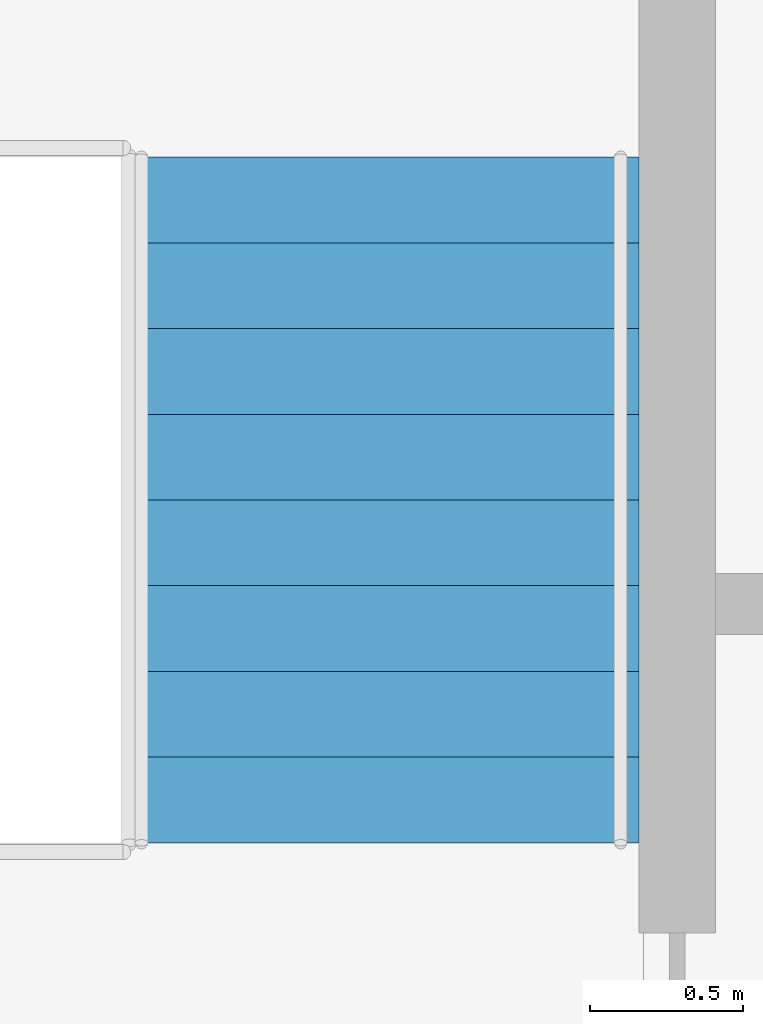
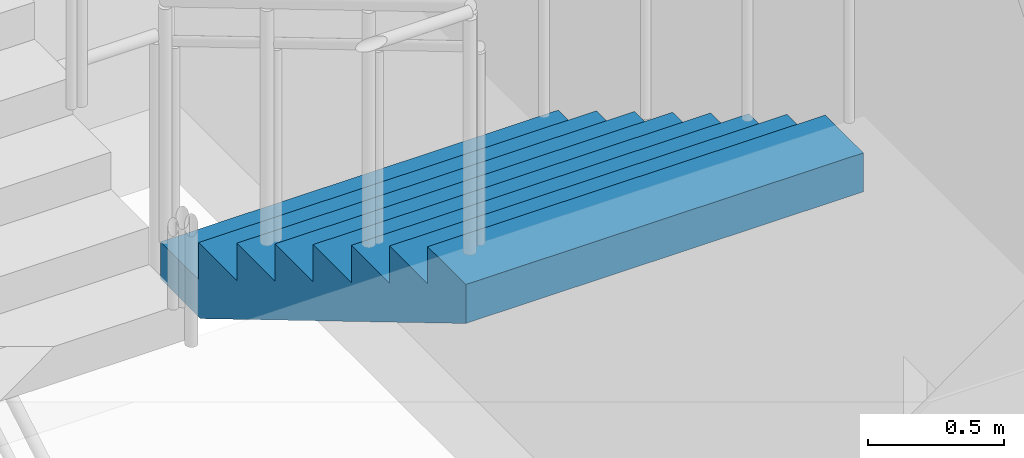
# One storey, part 37 of 57: 1 stair flight, 1 element without a shape of its own.
"""IFC4 building model written with IfcOpenShell, lengths in metres."""

from ifc_helpers import new_model, si_unit, direction, frame, origin, place, context, subcontext, project, spatial, triangles, material, type_object, element, aggregate, save


model = new_model("IFC4")

# Units and contexts
model_context = context("Model", 3, precision=1e-05, world=origin(), true_north=direction((0.0, 1.0)))
body_context = subcontext(model_context, "Body", "Model", "MODEL_VIEW")
ifc_project = project(units=[si_unit("LENGTHUNIT", "METRE"), si_unit("AREAUNIT", "SQUARE_METRE"), si_unit("VOLUMEUNIT", "CUBIC_METRE"), si_unit("PLANEANGLEUNIT", "RADIAN"), si_unit("MASSUNIT", "GRAM", prefix="KILO")], contexts=[model_context])

# Site, building, storey
site_placement = place(None, origin())
site = spatial("IfcSite", under=ifc_project, at=site_placement, CompositionType="ELEMENT")
building_placement = place(site_placement, origin())
building = spatial("IfcBuilding", under=site, at=building_placement, Name="Orbita Commons", CompositionType="ELEMENT")
storey_placement = place(building_placement, origin())
storey = spatial("IfcBuildingStorey", under=building, at=storey_placement, Name="L00", CompositionType="ELEMENT", Elevation=0.0)

# Stair, stair flight
ifc_material_1 = material(Name="Precast concrete C40/50", Category="concrete")
stair_type = type_object("IfcStairType", Name="Podium exit stair 4 flights 9 risers 167", PredefinedType="HALF_TURN_STAIR", material=ifc_material_1)
stair_placement = place(storey_placement, origin())
stair = element("IfcStair", 1, at=stair_placement, inside=storey, type_object=stair_type, Name="Podium exit stair PS2 L00", PredefinedType="HALF_TURN_STAIR")
ifc_material_2 = material(Name="Precast concrete C40/50", Category="concrete")
stair_flight_type = type_object("IfcStairFlightType", Name="Podium stair flight 9 risers 167 x 1685", PredefinedType="STRAIGHT", material=ifc_material_2)
stair_flight_placement = place(storey_placement, frame((76.4326171875, 32.06005859375, 1.5), z_axis=(0.0, 0.0, 1.0), x_axis=(0.0, -1.0, 0.0)))
stair_flight = element("IfcStairFlight", 2, at=stair_flight_placement, type_object=stair_flight_type, Name="PS2 flight 2", NumberOfRisers=9, NumberOfTreads=8, PredefinedType="STRAIGHT", RiserHeight=0.166666667, TreadLength=0.28, context=body_context, shape_type="Tessellation", body=[
    triangles([(0.0, 0.842529, 0.0), (0.0, 0.842529, 0.020833), (0.0, 0.702108, 0.020833), (0.0, 0.702108, 0.0), (0.0, 0.561686, 0.020833), (0.0, 0.561686, 0.0), (0.0, 0.421265, 0.020833), (0.0, 0.421265, 0.0), (0.0, 0.280843, 0.020833), (0.0, 0.280843, 0.0), (0.0, 0.140422, 0.020833), (0.0, 0.140422, 0.0), (0.0, 0.0, 0.020833), (0.0, 0.0, 0.0), (0.0, -0.140422, 0.020833), (0.0, -0.140422, 0.0), (0.0, -0.280843, 0.020833), (0.0, -0.280843, 0.0), (0.0, -0.421265, 0.020833), (0.0, -0.421265, 0.0), (0.0, -0.561686, 0.020833), (0.0, -0.561686, 0.0), (0.0, -0.702108, 0.020833), (0.0, -0.702108, 0.0), (0.0, -0.842529, 0.020833), (0.0, -0.842529, 0.0), (0.0, 0.842529, 0.041667), (0.0, 0.702108, 0.041667), (0.0, 0.561686, 0.041667), (0.0, 0.421265, 0.041667), (0.0, 0.280843, 0.041667), (0.0, 0.140422, 0.041667), (0.0, 0.0, 0.041667), (0.0, -0.140422, 0.041667), (0.0, -0.280843, 0.041667), (0.0, -0.421265, 0.041667), (0.0, -0.561686, 0.041667), (0.0, -0.702108, 0.041667), (0.0, -0.842529, 0.041667), (0.0, 0.842529, 0.0625), (0.0, 0.702108, 0.0625), (0.0, 0.561686, 0.0625), (0.0, 0.421265, 0.0625), (0.0, 0.280843, 0.0625), (0.0, 0.140422, 0.0625), (0.0, 0.0, 0.0625), (0.0, -0.140422, 0.0625), (0.0, -0.280843, 0.0625), (0.0, -0.421265, 0.0625), (0.0, -0.561686, 0.0625), (0.0, -0.702108, 0.0625), (0.0, -0.842529, 0.0625), (0.0, 0.842529, 0.083333), (0.0, 0.702108, 0.083333), (0.0, 0.561686, 0.083333), (0.0, 0.421265, 0.083333), (0.0, 0.280843, 0.083333), (0.0, 0.140422, 0.083333), (0.0, 0.0, 0.083333), (0.0, -0.140422, 0.083333), (0.0, -0.280843, 0.083333), (0.0, -0.421265, 0.083333), (0.0, -0.561686, 0.083333), (0.0, -0.702108, 0.083333), (0.0, -0.842529, 0.083333), (0.0, 0.842529, 0.104167), (0.0, 0.702108, 0.104167), (0.0, 0.561686, 0.104167), (0.0, 0.421265, 0.104167), (0.0, 0.280843, 0.104167), (0.0, 0.140422, 0.104167), (0.0, 0.0, 0.104167), (0.0, -0.140422, 0.104167), (0.0, -0.280843, 0.104167), (0.0, -0.421265, 0.104167), (0.0, -0.561686, 0.104167), (0.0, -0.702108, 0.104167), (0.0, -0.842529, 0.104167), (0.0, 0.842529, 0.125), (0.0, 0.702108, 0.125), (0.0, 0.561686, 0.125), (0.0, 0.421265, 0.125), (0.0, 0.280843, 0.125), (0.0, 0.140422, 0.125), (0.0, 0.0, 0.125), (0.0, -0.140422, 0.125), (0.0, -0.280843, 0.125), (0.0, -0.421265, 0.125), (0.0, -0.561686, 0.125), (0.0, -0.702108, 0.125), (0.0, -0.842529, 0.125), (0.0, 0.842529, 0.145833), (0.0, 0.702108, 0.145833), (0.0, 0.561686, 0.145833), (0.0, 0.421265, 0.145833), (0.0, 0.280843, 0.145833), (0.0, 0.140422, 0.145833), (0.0, 0.0, 0.145833), (0.0, -0.140422, 0.145833), (0.0, -0.280843, 0.145833), (0.0, -0.421265, 0.145833), (0.0, -0.561686, 0.145833), (0.0, -0.702108, 0.145833), (0.0, -0.842529, 0.145833), (0.0, 0.842529, 0.166667), (0.0, 0.702108, 0.166667), (0.0, 0.561686, 0.166667), (0.0, 0.421265, 0.166667), (0.0, 0.280843, 0.166667), (0.0, 0.140422, 0.166667), (0.0, 0.0, 0.166667), (0.0, -0.140422, 0.166667), (0.0, -0.280843, 0.166667), (0.0, -0.421265, 0.166667), (0.0, -0.561686, 0.166667), (0.0, -0.702108, 0.166667), (0.0, -0.842529, 0.166667), (0.28, 0.842529, 0.166667), (0.28, 0.702108, 0.166667), (0.28, 0.561686, 0.166667), (0.28, 0.421265, 0.166667), (0.28, 0.280843, 0.166667), (0.28, 0.140422, 0.166667), (0.28, 0.0, 0.166667), (0.28, -0.140422, 0.166667), (0.28, -0.280843, 0.166667), (0.28, -0.421265, 0.166667), (0.28, -0.561686, 0.166667), (0.28, -0.702108, 0.166667), (0.28, -0.842529, 0.166667), (0.28, 0.842529, 0.333333), (0.28, 0.702108, 0.333333), (0.28, 0.561686, 0.333333), (0.28, 0.421265, 0.333333), (0.28, 0.280843, 0.333333), (0.28, 0.140422, 0.333333), (0.28, 0.0, 0.333333), (0.28, -0.140422, 0.333333), (0.28, -0.280843, 0.333333), (0.28, -0.421265, 0.333333), (0.28, -0.561686, 0.333333), (0.28, -0.702108, 0.333333), (0.28, -0.842529, 0.333333), (0.56, 0.842529, 0.333333), (0.56, 0.702108, 0.333333), (0.56, 0.561686, 0.333333), (0.56, 0.421265, 0.333333), (0.56, 0.280843, 0.333333), (0.56, 0.140422, 0.333333), (0.56, 0.0, 0.333333), (0.56, -0.140422, 0.333333), (0.56, -0.280843, 0.333333), (0.56, -0.421265, 0.333333), (0.56, -0.561686, 0.333333), (0.56, -0.702108, 0.333333), (0.56, -0.842529, 0.333333), (0.56, 0.842529, 0.5), (0.56, 0.702108, 0.5), (0.56, 0.561686, 0.5), (0.56, 0.421265, 0.5), (0.56, 0.280843, 0.5), (0.56, 0.140422, 0.5), (0.56, 0.0, 0.5), (0.56, -0.140422, 0.5), (0.56, -0.280843, 0.5), (0.56, -0.421265, 0.5), (0.56, -0.561686, 0.5), (0.56, -0.702108, 0.5), (0.56, -0.842529, 0.5), (0.84, 0.842529, 0.5), (0.84, 0.702108, 0.5), (0.84, 0.561686, 0.5), (0.84, 0.421265, 0.5), (0.84, 0.280843, 0.5), (0.84, 0.140422, 0.5), (0.84, 0.0, 0.5), (0.84, -0.140422, 0.5), (0.84, -0.280843, 0.5), (0.84, -0.421265, 0.5), (0.84, -0.561686, 0.5), (0.84, -0.702108, 0.5), (0.84, -0.842529, 0.5), (0.84, 0.842529, 0.666667), (0.84, 0.702108, 0.666667), (0.84, 0.561686, 0.666667), (0.84, 0.421265, 0.666667), (0.84, 0.280843, 0.666667), (0.84, 0.140422, 0.666667), (0.84, 0.0, 0.666667), (0.84, -0.140422, 0.666667), (0.84, -0.280843, 0.666667), (0.84, -0.421265, 0.666667), (0.84, -0.561686, 0.666667), (0.84, -0.702108, 0.666667), (0.84, -0.842529, 0.666667), (1.12, 0.842529, 0.666667), (1.12, 0.702108, 0.666667), (1.12, 0.561686, 0.666667), (1.12, 0.421265, 0.666667), (1.12, 0.280843, 0.666667), (1.12, 0.140422, 0.666667), (1.12, 0.0, 0.666667), (1.12, -0.140422, 0.666667), (1.12, -0.280843, 0.666667), (1.12, -0.421265, 0.666667), (1.12, -0.561686, 0.666667), (1.12, -0.702108, 0.666667), (1.12, -0.842529, 0.666667), (1.12, 0.842529, 0.833333), (1.12, 0.702108, 0.833333), (1.12, 0.561686, 0.833333), (1.12, 0.421265, 0.833333), (1.12, 0.280843, 0.833333), (1.12, 0.140422, 0.833333), (1.12, 0.0, 0.833333), (1.12, -0.140422, 0.833333), (1.12, -0.280843, 0.833333), (1.12, -0.421265, 0.833333), (1.12, -0.561686, 0.833333), (1.12, -0.702108, 0.833333), (1.12, -0.842529, 0.833333), (1.4, 0.842529, 0.833333), (1.4, 0.702108, 0.833333), (1.4, 0.561686, 0.833333), (1.4, 0.421265, 0.833333), (1.4, 0.280843, 0.833333), (1.4, 0.140422, 0.833333), (1.4, 0.0, 0.833333), (1.4, -0.140422, 0.833333), (1.4, -0.280843, 0.833333), (1.4, -0.421265, 0.833333), (1.4, -0.561686, 0.833333), (1.4, -0.702108, 0.833333), (1.4, -0.842529, 0.833333), (1.4, 0.842529, 1.0), (1.4, 0.702108, 1.0), (1.4, 0.561686, 1.0), (1.4, 0.421265, 1.0), (1.4, 0.280843, 1.0), (1.4, 0.140422, 1.0), (1.4, 0.0, 1.0), (1.4, -0.140422, 1.0), (1.4, -0.280843, 1.0), (1.4, -0.421265, 1.0), (1.4, -0.561686, 1.0), (1.4, -0.702108, 1.0), (1.4, -0.842529, 1.0), (1.68, 0.842529, 1.0), (1.68, 0.702108, 1.0), (1.68, 0.561686, 1.0), (1.68, 0.421265, 1.0), (1.68, 0.280843, 1.0), (1.68, 0.140422, 1.0), (1.68, 0.0, 1.0), (1.68, -0.140422, 1.0), (1.68, -0.280843, 1.0), (1.68, -0.421265, 1.0), (1.68, -0.561686, 1.0), (1.68, -0.702108, 1.0), (1.68, -0.842529, 1.0), (1.68, 0.842529, 1.166667), (1.68, 0.702108, 1.166667), (1.68, 0.561686, 1.166667), (1.68, 0.421265, 1.166667), (1.68, 0.280843, 1.166667), (1.68, 0.140422, 1.166667), (1.68, 0.0, 1.166667), (1.68, -0.140422, 1.166667), (1.68, -0.280843, 1.166667), (1.68, -0.421265, 1.166667), (1.68, -0.561686, 1.166667), (1.68, -0.702108, 1.166667), (1.68, -0.842529, 1.166667), (1.96, 0.842529, 1.166667), (1.96, 0.702108, 1.166667), (1.96, 0.561686, 1.166667), (1.96, 0.421265, 1.166667), (1.96, 0.280843, 1.166667), (1.96, 0.140422, 1.166667), (1.96, 0.0, 1.166667), (1.96, -0.140422, 1.166667), (1.96, -0.280843, 1.166667), (1.96, -0.421265, 1.166667), (1.96, -0.561686, 1.166667), (1.96, -0.702108, 1.166667), (1.96, -0.842529, 1.166667), (1.96, 0.842529, 1.333333), (1.96, 0.702108, 1.333333), (1.96, 0.561686, 1.333333), (1.96, 0.421265, 1.333333), (1.96, 0.280843, 1.333333), (1.96, 0.140422, 1.333333), (1.96, 0.0, 1.333333), (1.96, -0.140422, 1.333333), (1.96, -0.280843, 1.333333), (1.96, -0.421265, 1.333333), (1.96, -0.561686, 1.333333), (1.96, -0.702108, 1.333333), (1.96, -0.842529, 1.333333), (2.24, 0.842529, 1.333333), (2.24, 0.702108, 1.333333), (2.24, 0.561686, 1.333333), (2.24, 0.421265, 1.333333), (2.24, 0.280843, 1.333333), (2.24, 0.140422, 1.333333), (2.24, 0.0, 1.333333), (2.24, -0.140422, 1.333333), (2.24, -0.280843, 1.333333), (2.24, -0.421265, 1.333333), (2.24, -0.561686, 1.333333), (2.24, -0.702108, 1.333333), (2.24, -0.842529, 1.333333), (2.24, 0.842529, 1.311527), (2.24, 0.702108, 1.311527), (2.24, 0.561686, 1.311527), (2.24, 0.421265, 1.311527), (2.24, 0.280843, 1.311527), (2.24, 0.140422, 1.311527), (2.24, 0.0, 1.311527), (2.24, -0.140422, 1.311527), (2.24, -0.280843, 1.311527), (2.24, -0.421265, 1.311527), (2.24, -0.561686, 1.311527), (2.24, -0.702108, 1.311527), (2.24, -0.842529, 1.311527), (2.24, 0.842529, 1.289721), (2.24, 0.702108, 1.289721), (2.24, 0.561686, 1.289721), (2.24, 0.421265, 1.289721), (2.24, 0.280843, 1.289721), (2.24, 0.140422, 1.289721), (2.24, 0.0, 1.289721), (2.24, -0.140422, 1.289721), (2.24, -0.280843, 1.289721), (2.24, -0.421265, 1.289721), (2.24, -0.561686, 1.289721), (2.24, -0.702108, 1.289721), (2.24, -0.842529, 1.289721), (2.24, 0.842529, 1.267915), (2.24, 0.702108, 1.267915), (2.24, 0.561686, 1.267915), (2.24, 0.421265, 1.267915), (2.24, 0.280843, 1.267915), (2.24, 0.140422, 1.267915), (2.24, 0.0, 1.267915), (2.24, -0.140422, 1.267915), (2.24, -0.280843, 1.267915), (2.24, -0.421265, 1.267915), (2.24, -0.561686, 1.267915), (2.24, -0.702108, 1.267915), (2.24, -0.842529, 1.267915), (2.24, 0.842529, 1.246109), (2.24, 0.702108, 1.246109), (2.24, 0.561686, 1.246109), (2.24, 0.421265, 1.246109), (2.24, 0.280843, 1.246109), (2.24, 0.140422, 1.246109), (2.24, 0.0, 1.246109), (2.24, -0.140422, 1.246109), (2.24, -0.280843, 1.246109), (2.24, -0.421265, 1.246109), (2.24, -0.561686, 1.246109), (2.24, -0.702108, 1.246109), (2.24, -0.842529, 1.246109), (2.24, 0.842529, 1.224303), (2.24, 0.702108, 1.224303), (2.24, 0.561686, 1.224303), (2.24, 0.421265, 1.224303), (2.24, 0.280843, 1.224303), (2.24, 0.140422, 1.224303), (2.24, 0.0, 1.224303), (2.24, -0.140422, 1.224303), (2.24, -0.280843, 1.224303), (2.24, -0.421265, 1.224303), (2.24, -0.561686, 1.224303), (2.24, -0.702108, 1.224303), (2.24, -0.842529, 1.224303), (2.24, 0.842529, 1.202497), (2.24, 0.702108, 1.202497), (2.24, 0.561686, 1.202497), (2.24, 0.421265, 1.202497), (2.24, 0.280843, 1.202497), (2.24, 0.140422, 1.202497), (2.24, 0.0, 1.202497), (2.24, -0.140422, 1.202497), (2.24, -0.280843, 1.202497), (2.24, -0.421265, 1.202497), (2.24, -0.561686, 1.202497), (2.24, -0.702108, 1.202497), (2.24, -0.842529, 1.202497), (2.24, 0.842529, 1.180691), (2.24, 0.702108, 1.180691), (2.24, 0.561686, 1.180691), (2.24, 0.421265, 1.180691), (2.24, 0.280843, 1.180691), (2.24, 0.140422, 1.180691), (2.24, 0.0, 1.180691), (2.24, -0.140422, 1.180691), (2.24, -0.280843, 1.180691), (2.24, -0.421265, 1.180691), (2.24, -0.561686, 1.180691), (2.24, -0.702108, 1.180691), (2.24, -0.842529, 1.180691), (2.24, 0.842529, 1.158885), (2.24, 0.702108, 1.158885), (2.24, 0.561686, 1.158885), (2.24, 0.421265, 1.158885), (2.24, 0.280843, 1.158885), (2.24, 0.140422, 1.158885), (2.24, 0.0, 1.158885), (2.24, -0.140422, 1.158885), (2.24, -0.280843, 1.158885), (2.24, -0.421265, 1.158885), (2.24, -0.561686, 1.158885), (2.24, -0.702108, 1.158885), (2.24, -0.842529, 1.158885), (0.293073, 0.842529, 0.0), (0.293073, 0.702108, 0.0), (0.293073, 0.561686, 0.0), (0.293073, 0.421265, 0.0), (0.293073, 0.280843, 0.0), (0.293073, 0.140422, 0.0), (0.293073, 0.0, 0.0), (0.293073, -0.140422, 0.0), (0.293073, -0.280843, 0.0), (0.293073, -0.421265, 0.0), (0.293073, -0.561686, 0.0), (0.293073, -0.702108, 0.0), (0.293073, -0.842529, 0.0)], [[3, 2, 1], [4, 3, 1], [5, 3, 4], [6, 5, 4], [7, 5, 6], [8, 7, 6], [9, 7, 8], [10, 9, 8], [11, 9, 10], [12, 11, 10], [13, 11, 12], [14, 13, 12], [15, 13, 14], [16, 15, 14], [17, 15, 16], [18, 17, 16], [19, 17, 18], [20, 19, 18], [21, 19, 20], [22, 21, 20], [23, 21, 22], [24, 23, 22], [25, 23, 24], [26, 25, 24], [28, 27, 2], [3, 28, 2], [29, 28, 3], [5, 29, 3], [30, 29, 5], [7, 30, 5], [31, 30, 7], [9, 31, 7], [32, 31, 9], [11, 32, 9], [33, 32, 11], [13, 33, 11], [34, 33, 13], [15, 34, 13], [35, 34, 15], [17, 35, 15], [36, 35, 17], [19, 36, 17], [37, 36, 19], [21, 37, 19], [38, 37, 21], [23, 38, 21], [39, 38, 23], [25, 39, 23], [41, 40, 27], [28, 41, 27], [42, 41, 28], [29, 42, 28], [43, 42, 29], [30, 43, 29], [44, 43, 30], [31, 44, 30], [45, 44, 31], [32, 45, 31], [46, 45, 32], [33, 46, 32], [47, 46, 33], [34, 47, 33], [48, 47, 34], [35, 48, 34], [49, 48, 35], [36, 49, 35], [50, 49, 36], [37, 50, 36], [51, 50, 37], [38, 51, 37], [52, 51, 38], [39, 52, 38], [54, 53, 40], [41, 54, 40], [55, 54, 41], [42, 55, 41], [56, 55, 42], [43, 56, 42], [57, 56, 43], [44, 57, 43], [58, 57, 44], [45, 58, 44], [59, 58, 45], [46, 59, 45], [60, 59, 46], [47, 60, 46], [61, 60, 47], [48, 61, 47], [62, 61, 48], [49, 62, 48], [63, 62, 49], [50, 63, 49], [64, 63, 50], [51, 64, 50], [65, 64, 51], [52, 65, 51], [67, 66, 53], [54, 67, 53], [68, 67, 54], [55, 68, 54], [69, 68, 55], [56, 69, 55], [70, 69, 56], [57, 70, 56], [71, 70, 57], [58, 71, 57], [72, 71, 58], [59, 72, 58], [73, 72, 59], [60, 73, 59], [74, 73, 60], [61, 74, 60], [75, 74, 61], [62, 75, 61], [76, 75, 62], [63, 76, 62], [77, 76, 63], [64, 77, 63], [78, 77, 64], [65, 78, 64], [80, 79, 66], [67, 80, 66], [81, 80, 67], [68, 81, 67], [82, 81, 68], [69, 82, 68], [83, 82, 69], [70, 83, 69], [84, 83, 70], [71, 84, 70], [85, 84, 71], [72, 85, 71], [86, 85, 72], [73, 86, 72], [87, 86, 73], [74, 87, 73], [88, 87, 74], [75, 88, 74], [89, 88, 75], [76, 89, 75], [90, 89, 76], [77, 90, 76], [91, 90, 77], [78, 91, 77], [93, 92, 79], [80, 93, 79], [94, 93, 80], [81, 94, 80], [95, 94, 81], [82, 95, 81], [96, 95, 82], [83, 96, 82], [97, 96, 83], [84, 97, 83], [98, 97, 84], [85, 98, 84], [99, 98, 85], [86, 99, 85], [100, 99, 86], [87, 100, 86], [101, 100, 87], [88, 101, 87], [102, 101, 88], [89, 102, 88], [103, 102, 89], [90, 103, 89], [104, 103, 90], [91, 104, 90], [106, 105, 92], [93, 106, 92], [107, 106, 93], [94, 107, 93], [108, 107, 94], [95, 108, 94], [109, 108, 95], [96, 109, 95], [110, 109, 96], [97, 110, 96], [111, 110, 97], [98, 111, 97], [112, 111, 98], [99, 112, 98], [113, 112, 99], [100, 113, 99], [114, 113, 100], [101, 114, 100], [115, 114, 101], [102, 115, 101], [116, 115, 102], [103, 116, 102], [117, 116, 103], [104, 117, 103], [119, 118, 105], [106, 119, 105], [120, 119, 106], [107, 120, 106], [121, 120, 107], [108, 121, 107], [122, 121, 108], [109, 122, 108], [123, 122, 109], [110, 123, 109], [124, 123, 110], [111, 124, 110], [125, 124, 111], [112, 125, 111], [126, 125, 112], [113, 126, 112], [127, 126, 113], [114, 127, 113], [128, 127, 114], [115, 128, 114], [129, 128, 115], [116, 129, 115], [130, 129, 116], [117, 130, 116], [132, 131, 118], [119, 132, 118], [133, 132, 119], [120, 133, 119], [134, 133, 120], [121, 134, 120], [135, 134, 121], [122, 135, 121], [136, 135, 122], [123, 136, 122], [137, 136, 123], [124, 137, 123], [138, 137, 124], [125, 138, 124], [139, 138, 125], [126, 139, 125], [140, 139, 126], [127, 140, 126], [141, 140, 127], [128, 141, 127], [142, 141, 128], [129, 142, 128], [143, 142, 129], [130, 143, 129], [145, 144, 131], [132, 145, 131], [146, 145, 132], [133, 146, 132], [147, 146, 133], [134, 147, 133], [148, 147, 134], [135, 148, 134], [149, 148, 135], [136, 149, 135], [150, 149, 136], [137, 150, 136], [151, 150, 137], [138, 151, 137], [152, 151, 138], [139, 152, 138], [153, 152, 139], [140, 153, 139], [154, 153, 140], [141, 154, 140], [155, 154, 141], [142, 155, 141], [156, 155, 142], [143, 156, 142], [158, 157, 144], [145, 158, 144], [159, 158, 145], [146, 159, 145], [160, 159, 146], [147, 160, 146], [161, 160, 147], [148, 161, 147], [162, 161, 148], [149, 162, 148], [163, 162, 149], [150, 163, 149], [164, 163, 150], [151, 164, 150], [165, 164, 151], [152, 165, 151], [166, 165, 152], [153, 166, 152], [167, 166, 153], [154, 167, 153], [168, 167, 154], [155, 168, 154], [169, 168, 155], [156, 169, 155], [171, 170, 157], [158, 171, 157], [172, 171, 158], [159, 172, 158], [173, 172, 159], [160, 173, 159], [174, 173, 160], [161, 174, 160], [175, 174, 161], [162, 175, 161], [176, 175, 162], [163, 176, 162], [177, 176, 163], [164, 177, 163], [178, 177, 164], [165, 178, 164], [179, 178, 165], [166, 179, 165], [180, 179, 166], [167, 180, 166], [181, 180, 167], [168, 181, 167], [182, 181, 168], [169, 182, 168], [184, 183, 170], [171, 184, 170], [185, 184, 171], [172, 185, 171], [186, 185, 172], [173, 186, 172], [187, 186, 173], [174, 187, 173], [188, 187, 174], [175, 188, 174], [189, 188, 175], [176, 189, 175], [190, 189, 176], [177, 190, 176], [191, 190, 177], [178, 191, 177], [192, 191, 178], [179, 192, 178], [193, 192, 179], [180, 193, 179], [194, 193, 180], [181, 194, 180], [195, 194, 181], [182, 195, 181], [197, 196, 183], [184, 197, 183], [198, 197, 184], [185, 198, 184], [199, 198, 185], [186, 199, 185], [200, 199, 186], [187, 200, 186], [201, 200, 187], [188, 201, 187], [202, 201, 188], [189, 202, 188], [203, 202, 189], [190, 203, 189], [204, 203, 190], [191, 204, 190], [205, 204, 191], [192, 205, 191], [206, 205, 192], [193, 206, 192], [207, 206, 193], [194, 207, 193], [208, 207, 194], [195, 208, 194], [210, 209, 196], [197, 210, 196], [211, 210, 197], [198, 211, 197], [212, 211, 198], [199, 212, 198], [213, 212, 199], [200, 213, 199], [214, 213, 200], [201, 214, 200], [215, 214, 201], [202, 215, 201], [216, 215, 202], [203, 216, 202], [217, 216, 203], [204, 217, 203], [218, 217, 204], [205, 218, 204], [219, 218, 205], [206, 219, 205], [220, 219, 206], [207, 220, 206], [221, 220, 207], [208, 221, 207], [223, 222, 209], [210, 223, 209], [224, 223, 210], [211, 224, 210], [225, 224, 211], [212, 225, 211], [226, 225, 212], [213, 226, 212], [227, 226, 213], [214, 227, 213], [228, 227, 214], [215, 228, 214], [229, 228, 215], [216, 229, 215], [230, 229, 216], [217, 230, 216], [231, 230, 217], [218, 231, 217], [232, 231, 218], [219, 232, 218], [233, 232, 219], [220, 233, 219], [234, 233, 220], [221, 234, 220], [236, 235, 222], [223, 236, 222], [237, 236, 223], [224, 237, 223], [238, 237, 224], [225, 238, 224], [239, 238, 225], [226, 239, 225], [240, 239, 226], [227, 240, 226], [241, 240, 227], [228, 241, 227], [242, 241, 228], [229, 242, 228], [243, 242, 229], [230, 243, 229], [244, 243, 230], [231, 244, 230], [245, 244, 231], [232, 245, 231], [246, 245, 232], [233, 246, 232], [247, 246, 233], [234, 247, 233], [249, 248, 235], [236, 249, 235], [250, 249, 236], [237, 250, 236], [251, 250, 237], [238, 251, 237], [252, 251, 238], [239, 252, 238], [253, 252, 239], [240, 253, 239], [254, 253, 240], [241, 254, 240], [255, 254, 241], [242, 255, 241], [256, 255, 242], [243, 256, 242], [257, 256, 243], [244, 257, 243], [258, 257, 244], [245, 258, 244], [259, 258, 245], [246, 259, 245], [260, 259, 246], [247, 260, 246], [262, 261, 248], [249, 262, 248], [263, 262, 249], [250, 263, 249], [264, 263, 250], [251, 264, 250], [265, 264, 251], [252, 265, 251], [266, 265, 252], [253, 266, 252], [267, 266, 253], [254, 267, 253], [268, 267, 254], [255, 268, 254], [269, 268, 255], [256, 269, 255], [270, 269, 256], [257, 270, 256], [271, 270, 257], [258, 271, 257], [272, 271, 258], [259, 272, 258], [273, 272, 259], [260, 273, 259], [275, 274, 261], [262, 275, 261], [276, 275, 262], [263, 276, 262], [277, 276, 263], [264, 277, 263], [278, 277, 264], [265, 278, 264], [279, 278, 265], [266, 279, 265], [280, 279, 266], [267, 280, 266], [281, 280, 267], [268, 281, 267], [282, 281, 268], [269, 282, 268], [283, 282, 269], [270, 283, 269], [284, 283, 270], [271, 284, 270], [285, 284, 271], [272, 285, 271], [286, 285, 272], [273, 286, 272], [288, 287, 274], [275, 288, 274], [289, 288, 275], [276, 289, 275], [290, 289, 276], [277, 290, 276], [291, 290, 277], [278, 291, 277], [292, 291, 278], [279, 292, 278], [293, 292, 279], [280, 293, 279], [294, 293, 280], [281, 294, 280], [295, 294, 281], [282, 295, 281], [296, 295, 282], [283, 296, 282], [297, 296, 283], [284, 297, 283], [298, 297, 284], [285, 298, 284], [299, 298, 285], [286, 299, 285], [301, 300, 287], [288, 301, 287], [302, 301, 288], [289, 302, 288], [303, 302, 289], [290, 303, 289], [304, 303, 290], [291, 304, 290], [305, 304, 291], [292, 305, 291], [306, 305, 292], [293, 306, 292], [307, 306, 293], [294, 307, 293], [308, 307, 294], [295, 308, 294], [309, 308, 295], [296, 309, 295], [310, 309, 296], [297, 310, 296], [311, 310, 297], [298, 311, 297], [312, 311, 298], [299, 312, 298], [314, 313, 300], [301, 314, 300], [315, 314, 301], [302, 315, 301], [316, 315, 302], [303, 316, 302], [317, 316, 303], [304, 317, 303], [318, 317, 304], [305, 318, 304], [319, 318, 305], [306, 319, 305], [320, 319, 306], [307, 320, 306], [321, 320, 307], [308, 321, 307], [322, 321, 308], [309, 322, 308], [323, 322, 309], [310, 323, 309], [324, 323, 310], [311, 324, 310], [325, 324, 311], [312, 325, 311], [327, 326, 313], [314, 327, 313], [328, 327, 314], [315, 328, 314], [329, 328, 315], [316, 329, 315], [330, 329, 316], [317, 330, 316], [331, 330, 317], [318, 331, 317], [332, 331, 318], [319, 332, 318], [333, 332, 319], [320, 333, 319], [334, 333, 320], [321, 334, 320], [335, 334, 321], [322, 335, 321], [336, 335, 322], [323, 336, 322], [337, 336, 323], [324, 337, 323], [338, 337, 324], [325, 338, 324], [340, 339, 326], [327, 340, 326], [341, 340, 327], [328, 341, 327], [342, 341, 328], [329, 342, 328], [343, 342, 329], [330, 343, 329], [344, 343, 330], [331, 344, 330], [345, 344, 331], [332, 345, 331], [346, 345, 332], [333, 346, 332], [347, 346, 333], [334, 347, 333], [348, 347, 334], [335, 348, 334], [349, 348, 335], [336, 349, 335], [350, 349, 336], [337, 350, 336], [351, 350, 337], [338, 351, 337], [353, 352, 339], [340, 353, 339], [354, 353, 340], [341, 354, 340], [355, 354, 341], [342, 355, 341], [356, 355, 342], [343, 356, 342], [357, 356, 343], [344, 357, 343], [358, 357, 344], [345, 358, 344], [359, 358, 345], [346, 359, 345], [360, 359, 346], [347, 360, 346], [361, 360, 347], [348, 361, 347], [362, 361, 348], [349, 362, 348], [363, 362, 349], [350, 363, 349], [364, 363, 350], [351, 364, 350], [366, 365, 352], [353, 366, 352], [367, 366, 353], [354, 367, 353], [368, 367, 354], [355, 368, 354], [369, 368, 355], [356, 369, 355], [370, 369, 356], [357, 370, 356], [371, 370, 357], [358, 371, 357], [372, 371, 358], [359, 372, 358], [373, 372, 359], [360, 373, 359], [374, 373, 360], [361, 374, 360], [375, 374, 361], [362, 375, 361], [376, 375, 362], [363, 376, 362], [377, 376, 363], [364, 377, 363], [379, 378, 365], [366, 379, 365], [380, 379, 366], [367, 380, 366], [381, 380, 367], [368, 381, 367], [382, 381, 368], [369, 382, 368], [383, 382, 369], [370, 383, 369], [384, 383, 370], [371, 384, 370], [385, 384, 371], [372, 385, 371], [386, 385, 372], [373, 386, 372], [387, 386, 373], [374, 387, 373], [388, 387, 374], [375, 388, 374], [389, 388, 375], [376, 389, 375], [390, 389, 376], [377, 390, 376], [392, 391, 378], [379, 392, 378], [393, 392, 379], [380, 393, 379], [394, 393, 380], [381, 394, 380], [395, 394, 381], [382, 395, 381], [396, 395, 382], [383, 396, 382], [397, 396, 383], [384, 397, 383], [398, 397, 384], [385, 398, 384], [399, 398, 385], [386, 399, 385], [400, 399, 386], [387, 400, 386], [401, 400, 387], [388, 401, 387], [402, 401, 388], [389, 402, 388], [403, 402, 389], [390, 403, 389], [405, 404, 391], [392, 405, 391], [406, 405, 392], [393, 406, 392], [407, 406, 393], [394, 407, 393], [408, 407, 394], [395, 408, 394], [409, 408, 395], [396, 409, 395], [410, 409, 396], [397, 410, 396], [411, 410, 397], [398, 411, 397], [412, 411, 398], [399, 412, 398], [413, 412, 399], [400, 413, 399], [414, 413, 400], [401, 414, 400], [415, 414, 401], [402, 415, 401], [416, 415, 402], [403, 416, 402], [418, 417, 404], [405, 418, 404], [419, 418, 405], [406, 419, 405], [420, 419, 406], [407, 420, 406], [421, 420, 407], [408, 421, 407], [422, 421, 408], [409, 422, 408], [423, 422, 409], [410, 423, 409], [424, 423, 410], [411, 424, 410], [425, 424, 411], [412, 425, 411], [426, 425, 412], [413, 426, 412], [427, 426, 413], [414, 427, 413], [428, 427, 414], [415, 428, 414], [429, 428, 415], [416, 429, 415], [4, 1, 417], [418, 4, 417], [6, 4, 418], [419, 6, 418], [8, 6, 419], [420, 8, 419], [10, 8, 420], [421, 10, 420], [12, 10, 421], [422, 12, 421], [14, 12, 422], [423, 14, 422], [16, 14, 423], [424, 16, 423], [18, 16, 424], [425, 18, 424], [20, 18, 425], [426, 20, 425], [22, 20, 426], [427, 22, 426], [24, 22, 427], [428, 24, 427], [26, 24, 428], [429, 26, 428], [404, 417, 1], [26, 429, 416], [391, 404, 1], [26, 416, 403], [378, 391, 1], [26, 403, 390], [365, 378, 1], [26, 390, 377], [352, 365, 1], [26, 377, 364], [339, 352, 1], [26, 364, 351], [326, 339, 1], [26, 351, 338], [313, 326, 1], [26, 338, 325], [287, 300, 313], [325, 312, 299], [274, 287, 313], [325, 299, 286], [248, 261, 274], [286, 273, 260], [248, 274, 313], [325, 286, 260], [222, 235, 248], [260, 247, 234], [222, 248, 313], [325, 260, 234], [196, 209, 222], [234, 221, 208], [196, 222, 313], [325, 234, 208], [170, 183, 196], [208, 195, 182], [170, 196, 313], [325, 208, 182], [144, 157, 170], [182, 169, 156], [144, 170, 313], [325, 182, 156], [118, 131, 144], [156, 143, 130], [118, 144, 313], [325, 156, 130], [118, 313, 1], [26, 325, 130], [92, 105, 118], [130, 117, 104], [79, 92, 118], [130, 104, 91], [66, 79, 118], [130, 91, 78], [53, 66, 118], [130, 78, 65], [40, 53, 118], [130, 65, 52], [27, 40, 118], [130, 52, 39], [2, 27, 118], [130, 39, 25], [1, 2, 118], [130, 25, 26]], closed=True),
])
aggregate(stair, [stair_flight])

save(model, "model.ifc")
